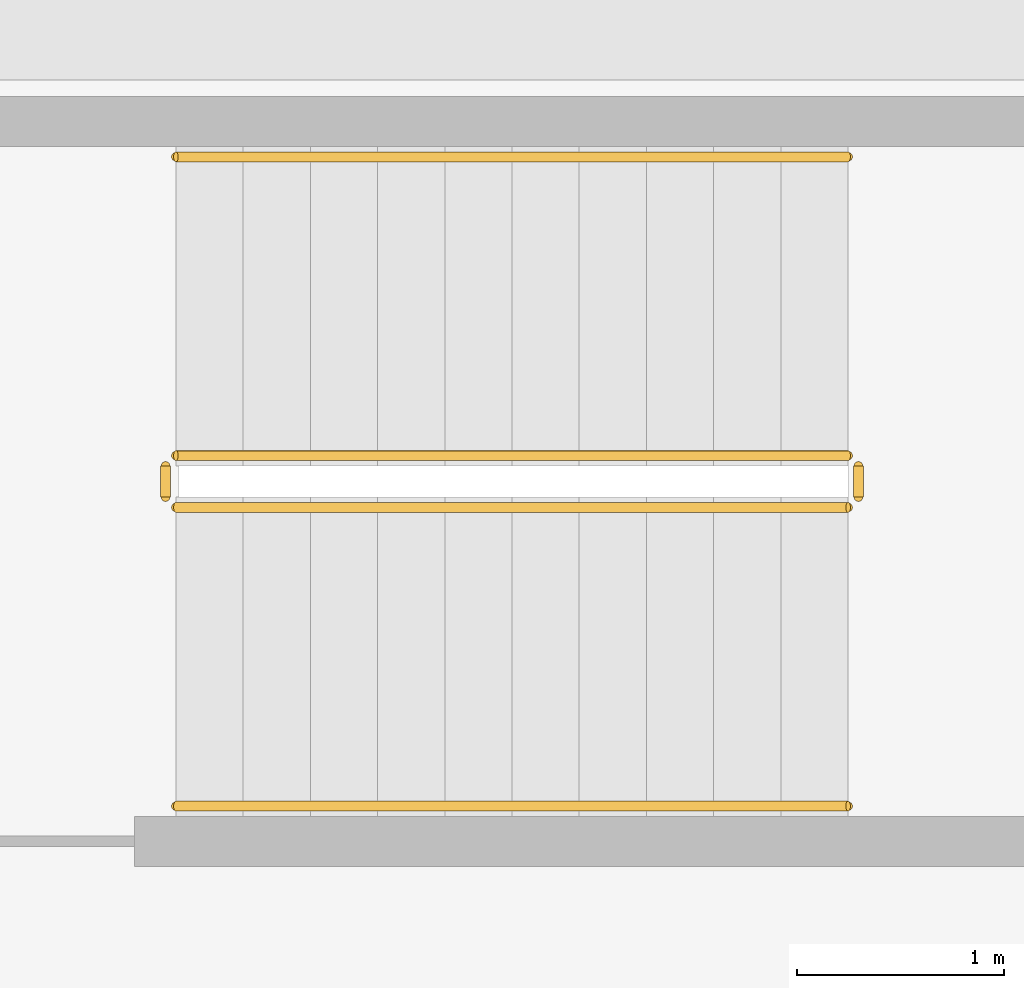
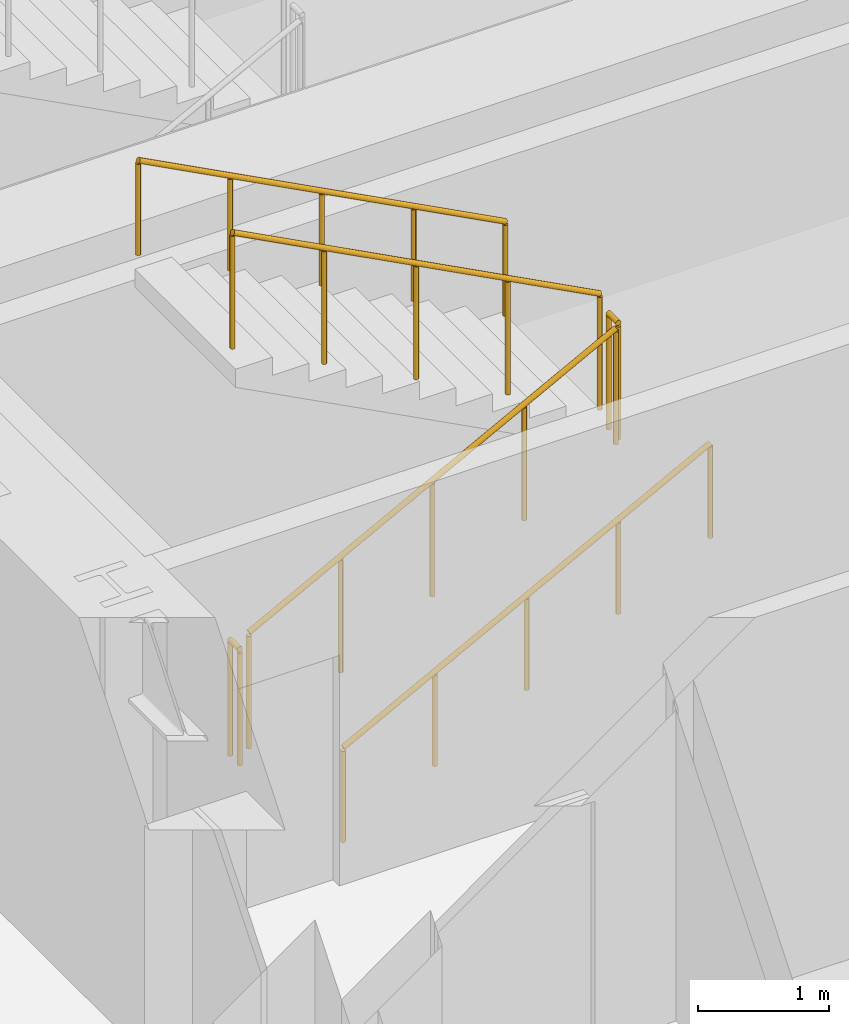
# One storey, part 12 of 15: 6 railings.
"""IFC4 building model written with IfcOpenShell, lengths in metres."""

from ifc_helpers import new_model, si_unit, direction, frame, origin, origin_2d, place, context, subcontext, project, spatial, circle, extrude, material, type_object, element, save


model = new_model("IFC4")

# Units and contexts
model_context = context("Model", 3, precision=1e-05, world=origin(), true_north=direction((0.0, 1.0)))
body_context = subcontext(model_context, "Body", "Model", "MODEL_VIEW")
ifc_project = project(units=[si_unit("LENGTHUNIT", "METRE"), si_unit("AREAUNIT", "SQUARE_METRE"), si_unit("VOLUMEUNIT", "CUBIC_METRE"), si_unit("PLANEANGLEUNIT", "RADIAN"), si_unit("MASSUNIT", "GRAM", prefix="KILO")], contexts=[model_context])

# Site, building, storey
site_placement = place(None, origin())
site = spatial("IfcSite", under=ifc_project, at=site_placement, CompositionType="ELEMENT")
building_placement = place(site_placement, origin())
building = spatial("IfcBuilding", under=site, at=building_placement, Name="Kolvaren Arena Tower", CompositionType="ELEMENT")
storey_placement = place(building_placement, frame((0.0, 0.0, 72.0)))
storey = spatial("IfcBuildingStorey", under=building, at=storey_placement, Name="L15", CompositionType="ELEMENT", Elevation=72.0)

# Railings
ifc_material_1 = material(Name="Painted galvanized steel", Category="steel")
railing_type_1 = type_object("IfcRailingType", Name="GUARD-ST-110", PredefinedType="GUARDRAIL", material=ifc_material_1)
railing_1_placement = place(storey_placement, frame((52.719970703125, 31.639892578125, 0.17041015625)))
element("IfcRailing", 1, at=railing_1_placement, inside=storey, type_object=railing_type_1, Name="L15 ST-E1 stair guard 1", PredefinedType="GUARDRAIL", context=body_context, shape_type="SweptSolid", body=[
    extrude(circle(Radius=0.02392578125, at=origin_2d()), frame((0.0, 0.0, 1.076171875), z_axis=(0.884993431791, 0.0, 0.465603506952), x_axis=(0.0, 1.0, 0.0)), (0.0, 0.0, 1.0), 3.6611328125),
    extrude(circle(Radius=0.02099609375, at=origin_2d()), origin(), (0.0, 0.0, 1.0), 1.052001953125),
    extrude(circle(Radius=0.02099609375, at=origin_2d()), frame((0.81005859375, 0.0, 0.42626953125)), (0.0, 0.0, 1.0), 1.052001953125),
    extrude(circle(Radius=0.02099609375, at=origin_2d()), frame((1.6201171875, 0.0, 0.852294921875)), (0.0, 0.0, 1.0), 1.052001953125),
    extrude(circle(Radius=0.02099609375, at=origin_2d()), frame((2.429931640625, 0.0, 1.2783203125)), (0.0, 0.0, 1.0), 1.052001953125),
    extrude(circle(Radius=0.02099609375, at=origin_2d()), frame((3.239990234375, 0.0, 1.70458984375)), (0.0, 0.0, 1.0), 1.052001953125),
])
railing_2_placement = place(storey_placement, frame((56.010009765625, 31.68994140625, 1.875)))
element("IfcRailing", 2, at=railing_2_placement, inside=storey, type_object=railing_type_1, Name="L15 ST-E1 stair guard 2", PredefinedType="GUARDRAIL", context=body_context, shape_type="SweptSolid", body=[
    extrude(circle(Radius=0.02392578125, at=origin_2d()), frame((0.0, 0.0, 1.076171875), z_axis=(0.0, 1.0, 0.0), x_axis=(-1.0, 0.0, 0.0)), (0.0, 0.0, 1.0), 0.150146484375),
    extrude(circle(Radius=0.02099609375, at=origin_2d()), origin(), (0.0, 0.0, 1.0), 1.052001953125),
    extrude(circle(Radius=0.02099609375, at=origin_2d()), frame((0.0, 0.150146484375, 0.0)), (0.0, 0.0, 1.0), 1.052001953125),
])
railing_3_placement = place(storey_placement, frame((55.9599609375, 31.889892578125, 2.04541015625)))
element("IfcRailing", 3, at=railing_3_placement, inside=storey, type_object=railing_type_1, Name="L15 ST-E1 stair guard 3", PredefinedType="GUARDRAIL", context=body_context, shape_type="SweptSolid", body=[
    extrude(circle(Radius=0.02392578125, at=origin_2d()), frame((0.0, 0.0, 1.076171875), z_axis=(-0.884993431791, 0.0, 0.465603506952), x_axis=(0.0, -1.0, 0.0)), (0.0, 0.0, 1.0), 3.6611328125),
    extrude(circle(Radius=0.02099609375, at=origin_2d()), origin(), (0.0, 0.0, 1.0), 1.052001953125),
    extrude(circle(Radius=0.02099609375, at=origin_2d()), frame((-0.81005859375, 0.0, 0.42626953125)), (0.0, 0.0, 1.0), 1.052001953125),
    extrude(circle(Radius=0.02099609375, at=origin_2d()), frame((-1.6201171875, 0.0, 0.852294921875)), (0.0, 0.0, 1.0), 1.052001953125),
    extrude(circle(Radius=0.02099609375, at=origin_2d()), frame((-2.429931640625, 0.0, 1.2783203125)), (0.0, 0.0, 1.0), 1.052001953125),
    extrude(circle(Radius=0.02099609375, at=origin_2d()), frame((-3.239990234375, 0.0, 1.70458984375)), (0.0, 0.0, 1.0), 1.052001953125),
])
railing_4_placement = place(storey_placement, frame((52.669921875, 31.68994140625, 0.0)))
element("IfcRailing", 4, at=railing_4_placement, inside=storey, type_object=railing_type_1, Name="L15 ST-E1 stair guard 4", PredefinedType="GUARDRAIL", context=body_context, shape_type="SweptSolid", body=[
    extrude(circle(Radius=0.02392578125, at=origin_2d()), frame((0.0, 0.0, 1.076171875), z_axis=(0.0, 1.0, 0.0), x_axis=(-1.0, 0.0, 0.0)), (0.0, 0.0, 1.0), 0.150146484375),
    extrude(circle(Radius=0.02099609375, at=origin_2d()), origin(), (0.0, 0.0, 1.0), 1.052001953125),
    extrude(circle(Radius=0.02099609375, at=origin_2d()), frame((0.0, 0.150146484375, 0.0)), (0.0, 0.0, 1.0), 1.052001953125),
])
ifc_material_2 = material(Name="Brushed stainless steel handrail", Category="steel")
railing_type_2 = type_object("IfcRailingType", Name="HRAIL-900", PredefinedType="HANDRAIL", material=ifc_material_2)
railing_5_placement = place(storey_placement, frame((52.719970703125, 30.199951171875, 0.17041015625)))
element("IfcRailing", 5, at=railing_5_placement, inside=storey, type_object=railing_type_2, Name="L15 ST-E1 stair handrail 1", PredefinedType="HANDRAIL", context=body_context, shape_type="SweptSolid", body=[
    extrude(circle(Radius=0.02392578125, at=origin_2d()), frame((0.0, 0.0, 0.8759765625), z_axis=(0.884993431791, 0.0, 0.465603506952), x_axis=(0.0, 1.0, 0.0)), (0.0, 0.0, 1.0), 3.6611328125),
    extrude(circle(Radius=0.02099609375, at=origin_2d()), origin(), (0.0, 0.0, 1.0), 0.851806640625),
    extrude(circle(Radius=0.02099609375, at=origin_2d()), frame((0.81005859375, 0.0, 0.42626953125)), (0.0, 0.0, 1.0), 0.851806640625),
    extrude(circle(Radius=0.02099609375, at=origin_2d()), frame((1.6201171875, 0.0, 0.852294921875)), (0.0, 0.0, 1.0), 0.851806640625),
    extrude(circle(Radius=0.02099609375, at=origin_2d()), frame((2.429931640625, 0.0, 1.2783203125)), (0.0, 0.0, 1.0), 0.851806640625),
    extrude(circle(Radius=0.02099609375, at=origin_2d()), frame((3.239990234375, 0.0, 1.70458984375)), (0.0, 0.0, 1.0), 0.851806640625),
])
railing_6_placement = place(storey_placement, frame((55.9599609375, 33.330078125, 2.04541015625)))
element("IfcRailing", 6, at=railing_6_placement, inside=storey, type_object=railing_type_2, Name="L15 ST-E1 stair handrail 2", PredefinedType="HANDRAIL", context=body_context, shape_type="SweptSolid", body=[
    extrude(circle(Radius=0.02392578125, at=origin_2d()), frame((0.0, 0.0, 0.8759765625), z_axis=(-0.884993431791, 0.0, 0.465603506952), x_axis=(0.0, -1.0, 0.0)), (0.0, 0.0, 1.0), 3.6611328125),
    extrude(circle(Radius=0.02099609375, at=origin_2d()), origin(), (0.0, 0.0, 1.0), 0.851806640625),
    extrude(circle(Radius=0.02099609375, at=origin_2d()), frame((-0.81005859375, 0.0, 0.42626953125)), (0.0, 0.0, 1.0), 0.851806640625),
    extrude(circle(Radius=0.02099609375, at=origin_2d()), frame((-1.6201171875, 0.0, 0.852294921875)), (0.0, 0.0, 1.0), 0.851806640625),
    extrude(circle(Radius=0.02099609375, at=origin_2d()), frame((-2.429931640625, 0.0, 1.2783203125)), (0.0, 0.0, 1.0), 0.851806640625),
    extrude(circle(Radius=0.02099609375, at=origin_2d()), frame((-3.239990234375, 0.0, 1.70458984375)), (0.0, 0.0, 1.0), 0.851806640625),
])

save(model, "model.ifc")
